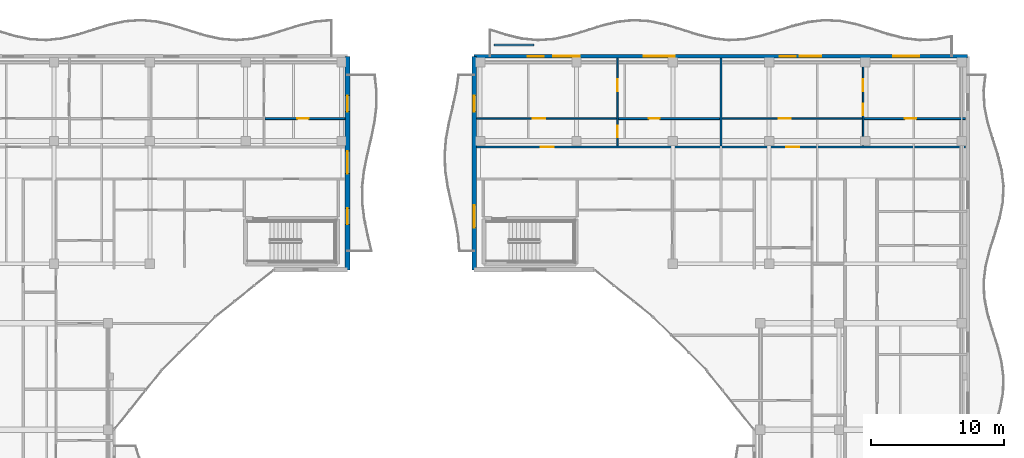
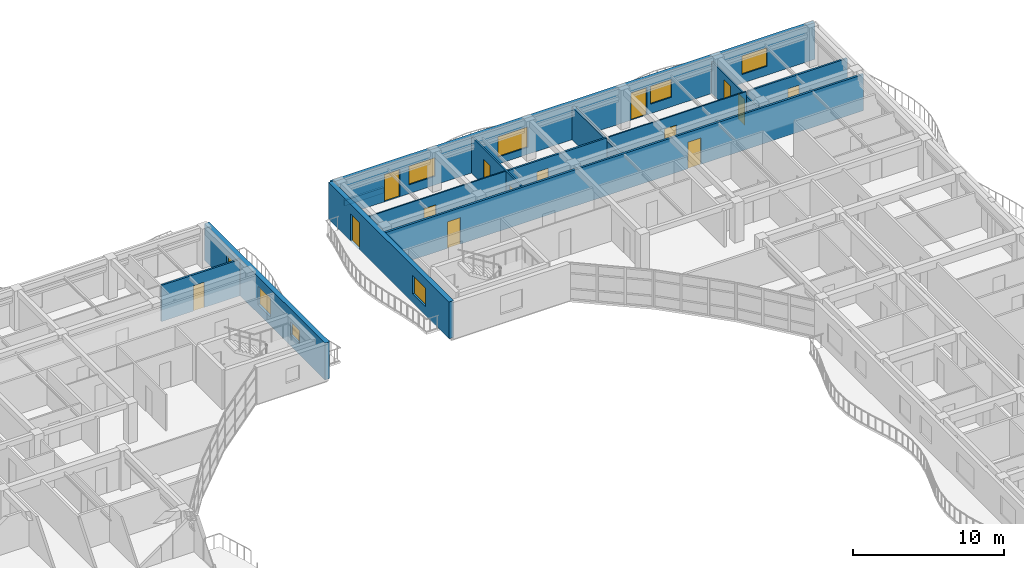
# One storey, part 100 of 128: 15 doors, 13 walls, 7 windows, 22 openings.
"""IFC4 building model written with IfcOpenShell, lengths in metres."""

import ifcopenshell
import ifcopenshell.guid

model = None  # the IFC model being written
_history = None  # IfcOwnerHistory: only IFC2X3 demands one
_inside = {}  # id of a spatial element -> (the spatial element, [elements in it])
_under = {}  # id of a project, library or spatial element -> (it, [spatial elements below it])
_declared = {}  # id of a project -> (the project, [libraries it declares])
_typed = {}  # id of a type object -> (the type object, [elements of that type])
_made_of = {}  # id of a material, layer set ... -> (it, [elements and type objects made of it])


def new_model(schema):
    """Start an empty IFC model of exactly this schema.

    Asked for "IFC4X3", IfcOpenShell would pick the latest addendum, in which some entities
    have other attributes; the version numbers below select the first issue.
    IFC2X3 requires an IfcOwnerHistory on every rooted entity: one is made here for all.
    """
    global model, _history
    if schema == "IFC4X3":
        model = ifcopenshell.file(schema_version=(4, 3, 0, 0))
    else:
        model = ifcopenshell.file(schema=schema)
    _inside.clear()
    _under.clear()
    _declared.clear()
    _typed.clear()
    _made_of.clear()
    _history = None
    if model.schema == "IFC2X3":
        org = make("IfcOrganization", Name="unknown")
        user = make(
            "IfcPersonAndOrganization",
            ThePerson=make("IfcPerson", FamilyName="unknown"),
            TheOrganization=org,
        )
        app = make(
            "IfcApplication",
            ApplicationDeveloper=org,
            Version="unknown",
            ApplicationFullName="unknown",
            ApplicationIdentifier="unknown",
        )
        _history = make(
            "IfcOwnerHistory",
            OwningUser=user,
            OwningApplication=app,
            ChangeAction="ADDED",
            CreationDate=0,
        )
    return model


def make(cls, **values):
    """One entity of the class cls with the attributes given. An attribute that is None is left unset."""
    return model.create_entity(
        cls, **{name: value for name, value in values.items() if value is not None}
    )


def rooted(cls, **values):
    """An entity with a GlobalId (a new one), such as an element, a storey or a relation."""
    return make(cls, GlobalId=ifcopenshell.guid.new(), OwnerHistory=_history, **values)


def si_unit(unit_type, name, prefix=None):
    """IfcSIUnit, for example si_unit("LENGTHUNIT", "METRE", prefix="MILLI")."""
    return make("IfcSIUnit", UnitType=unit_type, Prefix=prefix, Name=name)


def assignment(units):
    """IfcUnitAssignment: the units of a project."""
    return None if units is None else make("IfcUnitAssignment", Units=units)


def point(xyz):
    """IfcCartesianPoint."""
    return None if xyz is None else make("IfcCartesianPoint", Coordinates=xyz)


def direction(xyz):
    """IfcDirection."""
    return None if xyz is None else make("IfcDirection", DirectionRatios=xyz)


def frame(location, z_axis=None, x_axis=None):
    """IfcAxis2Placement3D, a coordinate frame: its origin and axes. An axis left out is left unset."""
    return make(
        "IfcAxis2Placement3D",
        Location=point(location),
        Axis=direction(z_axis),
        RefDirection=direction(x_axis),
    )


def frame_2d(location, x_axis=None):
    """IfcAxis2Placement2D, a coordinate frame in the plane: its origin and x axis."""
    return make(
        "IfcAxis2Placement2D", Location=point(location), RefDirection=direction(x_axis)
    )


def origin():
    """The frame at (0, 0, 0) with its axes left unset."""
    return frame((0.0, 0.0, 0.0))


def place(relative_to, where):
    """IfcLocalPlacement: puts the frame where relative to a parent placement (None: the world)."""
    return make(
        "IfcLocalPlacement", PlacementRelTo=relative_to, RelativePlacement=where
    )


def context(
    kind, dimensions, precision=None, world=None, true_north=None, identifier=None
):
    """IfcGeometricRepresentationContext, for example the 3D "Model" context."""
    return make(
        "IfcGeometricRepresentationContext",
        ContextIdentifier=identifier,
        ContextType=kind,
        CoordinateSpaceDimension=dimensions,
        Precision=precision,
        WorldCoordinateSystem=world,
        TrueNorth=true_north,
    )


def subcontext(parent, identifier, kind, view, scale=None):
    """IfcGeometricRepresentationSubContext, for example "Body" below "Model"."""
    return make(
        "IfcGeometricRepresentationSubContext",
        ContextIdentifier=identifier,
        ContextType=kind,
        ParentContext=parent,
        TargetScale=scale,
        TargetView=view,
    )


def project(units=None, contexts=None):
    """IfcProject with its units and contexts."""
    return rooted(
        "IfcProject",
        Name="project",
        RepresentationContexts=contexts,
        UnitsInContext=assignment(units),
    )


def spatial(cls, under=None, at=None, **own):
    """A site, building, storey or space (cls), placed at a placement, below another one or the project."""
    s = rooted(cls, ObjectPlacement=at, **own)
    if under is not None:
        _under.setdefault(under.id(), (under, []))[1].append(s)
    return s


def profile(cls, at=None, kind="AREA", **sizes):
    """A parametric profile (cls). Its sizes go by their IFC names, for example OverallWidth=200.0."""
    return make(cls, ProfileType=kind, Position=at, **sizes)


def rectangle(**sizes):
    """IfcRectangleProfileDef."""
    return profile("IfcRectangleProfileDef", **sizes)


def extrude(swept, where, along, depth):
    """IfcExtrudedAreaSolid: the profile swept, set in the frame where, extruded along a direction by depth."""
    return make(
        "IfcExtrudedAreaSolid",
        SweptArea=swept,
        Position=where,
        ExtrudedDirection=direction(along),
        Depth=depth,
    )


def shape(context_of_items, identifier, shape_type, items):
    """IfcShapeRepresentation: the items that make up one representation, for example the "Body"."""
    return make(
        "IfcShapeRepresentation",
        ContextOfItems=context_of_items,
        RepresentationIdentifier=identifier,
        RepresentationType=shape_type,
        Items=items,
    )


def material(Name=None, Category=None):
    """IfcMaterial."""
    return make("IfcMaterial", Name=Name, Category=Category)


def layer(
    of_material, thickness, ventilated=None, Name=None, Category=None, Priority=None
):
    """IfcMaterialLayer: one layer of a wall or slab, of a material (None: an air gap)."""
    return make(
        "IfcMaterialLayer",
        Material=of_material,
        LayerThickness=thickness,
        IsVentilated=ventilated,
        Name=Name,
        Category=Category,
        Priority=Priority,
    )


def layer_set(layers, Name=None):
    """IfcMaterialLayerSet."""
    return make("IfcMaterialLayerSet", MaterialLayers=layers, LayerSetName=Name)


def made_of(thing, what):
    """Note that an element or type object is made of a material, layer set ...; save() writes the relation."""
    if what is not None:
        _made_of.setdefault(what.id(), (what, []))[1].append(thing)
    return thing


def type_object(cls, material=None, **own):
    """A type object (cls), such as IfcWallType, which elements share."""
    return made_of(rooted(cls, **own), material)


def element(
    cls,
    number,
    at=None,
    inside=None,
    cuts=None,
    type_object=None,
    material=None,
    context=None,
    identifier="Body",
    shape_type=None,
    held_by="IfcProductDefinitionShape",
    body=None,
    shapes=None,
    **own,
):
    """One element of the class cls, such as IfcWall. Its Tag is "e" and its number.

    at: its placement. inside: the storey or other place that contains it. cuts: it is an
    opening in that element (IfcRelVoidsElement). A single representation is given by context,
    identifier, shape_type and body (its items); several are given by shapes. held_by: the class
    of the entity that holds the representations. save() writes the other relations.
    """
    e = rooted(cls, Tag="e%d" % number, ObjectPlacement=at, **own)
    if body is not None:
        shapes = [shape(context, identifier, shape_type, body)]
    if shapes is not None:
        e.Representation = make(held_by, Representations=shapes)
    if inside is not None:
        _inside.setdefault(inside.id(), (inside, []))[1].append(e)
    if cuts is not None:
        rooted(
            "IfcRelVoidsElement", RelatingBuildingElement=cuts, RelatedOpeningElement=e
        )
    if type_object is not None:
        _typed.setdefault(type_object.id(), (type_object, []))[1].append(e)
    return made_of(e, material)


def fill(opening, filler):
    """IfcRelFillsElement: the door or window that sits in an opening."""
    return rooted(
        "IfcRelFillsElement",
        RelatingOpeningElement=opening,
        RelatedBuildingElement=filler,
    )


def aggregate(whole, parts):
    """IfcRelAggregates: a whole, such as a stair, and the parts it consists of."""
    return rooted("IfcRelAggregates", RelatingObject=whole, RelatedObjects=parts)


def save(model, path):
    """Write the relations noted so far, then the file.

    IfcRelAggregates (storeys below a building ...), IfcRelContainedInSpatialStructure (elements
    in a storey), IfcRelDefinesByType, IfcRelAssociatesMaterial and IfcRelDeclares: one each for
    every whole, place, type object, material and project.
    """
    for whole, parts in _under.values():
        aggregate(whole, parts)
    for where, things in _inside.values():
        rooted(
            "IfcRelContainedInSpatialStructure",
            RelatedElements=things,
            RelatingStructure=where,
        )
    for kind, things in _typed.values():
        rooted("IfcRelDefinesByType", RelatedObjects=things, RelatingType=kind)
    for what, things in _made_of.values():
        rooted("IfcRelAssociatesMaterial", RelatedObjects=things, RelatingMaterial=what)
    for by, libraries in _declared.values():
        rooted("IfcRelDeclares", RelatingContext=by, RelatedDefinitions=libraries)
    model.write(path)


model = new_model("IFC4")

# Units and contexts
model_context = context("Model", 3, precision=1e-05, world=origin(), true_north=direction((0.0, 1.0)))
body_context = subcontext(model_context, "Body", "Model", "MODEL_VIEW")
ifc_project = project(units=[si_unit("LENGTHUNIT", "METRE"), si_unit("AREAUNIT", "SQUARE_METRE"), si_unit("VOLUMEUNIT", "CUBIC_METRE"), si_unit("PLANEANGLEUNIT", "RADIAN"), si_unit("MASSUNIT", "GRAM", prefix="KILO")], contexts=[model_context])

# Site, building, storey
site_placement = place(None, origin())
site = spatial("IfcSite", under=ifc_project, at=site_placement, CompositionType="ELEMENT")
building_placement = place(site_placement, origin())
building = spatial("IfcBuilding", under=site, at=building_placement, Name="Keldmere Railside Commons", CompositionType="ELEMENT")
storey_placement = place(building_placement, frame((0.0, 0.0, 4.159912109375)))
storey = spatial("IfcBuildingStorey", under=building, at=storey_placement, Name="L01", CompositionType="ELEMENT", Elevation=4.159912109375)

# Wall
ifc_material_1 = material(Name="Acoustic Gypsum Board Partition", Category="gypsum")
ifc_layer_1 = layer(ifc_material_1, 0.179931640625, Name="Acoustic Demising Partition 180")
ifc_layer_set_1 = layer_set([ifc_layer_1], Name="Acoustic Gypsum Board Partition")
wall_type_1 = type_object("IfcWallType", Name="Acoustic Demising Partition 180", PredefinedType="PARTITIONING", material=ifc_layer_set_1)
wall_1_placement = place(storey_placement, frame((165.5, 109.280029296875, 0.0), z_axis=(0.0, 0.0, 1.0), x_axis=(0.0, 1.0, 0.0)))
element("IfcWall", 1, at=wall_1_placement, inside=storey, type_object=wall_type_1, Name="IW-1 IW-L01-1447", PredefinedType="PARTITIONING", context=body_context, shape_type="SweptSolid", body=[
    extrude(rectangle(XDim=6.590087890625, YDim=0.179931640625, at=frame_2d((3.294921875, 0.0))), origin(), (0.0, 0.0, 1.0), 2.670166015625),
])

# Wall, openings, doors
ifc_layer_2 = layer(ifc_material_1, 0.1201171875, Name="Apartment Interior Partition 120")
ifc_layer_set_2 = layer_set([ifc_layer_2], Name="Acoustic Gypsum Board Partition")
wall_type_2 = type_object("IfcWallType", Name="Apartment Interior Partition 120", PredefinedType="PARTITIONING", material=ifc_layer_set_2)
wall_2_placement = place(storey_placement, frame((157.75, 109.280029296875, 0.0), z_axis=(0.0, 0.0, 1.0), x_axis=(0.0, 1.0, 0.0)))
wall_2 = element("IfcWall", 2, at=wall_2_placement, inside=storey, type_object=wall_type_2, Name="IW-4 IW-L01-1448", PredefinedType="PARTITIONING", context=body_context, shape_type="SweptSolid", body=[
    extrude(rectangle(XDim=6.590087890625, YDim=0.1201171875, at=frame_2d((3.294921875, 0.0))), origin(), (0.0, 0.0, 1.0), 2.93505859375),
])
opening_1_placement = place(wall_2_placement, frame((0.656005859375, 0.0, 0.0)))
opening_1 = element("IfcOpeningElement", 3, at=opening_1_placement, cuts=wall_2, Name="Opening ID-04", PredefinedType="OPENING", context=body_context, shape_type="SweptSolid", body=[
    extrude(rectangle(XDim=0.860107421875, YDim=2.10009765625, at=frame_2d((0.43017578125, 1.050048828125))), frame((0.0, 0.070068359375, 0.0), z_axis=(0.0, -1.0, 0.0), x_axis=(1.0, 0.0, 0.0)), (0.0, 0.0, 1.0), 0.14013671875),
])
opening_2_placement = place(wall_2_placement, frame((4.093017578125, 0.0, 0.0)))
opening_2 = element("IfcOpeningElement", 4, at=opening_2_placement, cuts=wall_2, Name="Opening ID-01", PredefinedType="OPENING", context=body_context, shape_type="SweptSolid", body=[
    extrude(rectangle(XDim=0.89990234375, YDim=2.10009765625, at=frame_2d((0.449951171875, 1.050048828125))), frame((0.0, 0.070068359375, 0.0), z_axis=(0.0, -1.0, 0.0), x_axis=(1.0, 0.0, 0.0)), (0.0, 0.0, 1.0), 0.14013671875),
])
ifc_material_2 = material(Name="Engineered Oak Timber", Category="wood")
door_type_1 = type_object("IfcDoorType", Name="Apartment Bathroom Door 860x2100", OperationType="NOTDEFINED", PredefinedType="DOOR", material=ifc_material_2)
door_1_placement = place(opening_1_placement, origin())
door_1 = element("IfcDoor", 5, at=door_1_placement, inside=storey, type_object=door_type_1, Name="ID-04 IDR-L01-1296", OperationType="SINGLE_SWING_RIGHT", OverallHeight=2.10009765625, OverallWidth=0.860107421875, PredefinedType="DOOR", context=body_context, shape_type="SweptSolid", body=[
    extrude(rectangle(XDim=0.860107421875, YDim=2.10009765625, at=frame_2d((0.43017578125, 1.050048828125))), frame((0.0, 0.02490234375, 0.0), z_axis=(0.0, -1.0, 0.0), x_axis=(1.0, 0.0, 0.0)), (0.0, 0.0, 1.0), 0.050048828125),
])
fill(opening_1, door_1)
door_type_2 = type_object("IfcDoorType", Name="Primary Bedroom Door 900x2100", OperationType="NOTDEFINED", PredefinedType="DOOR", material=ifc_material_2)
door_2_placement = place(opening_2_placement, origin())
door_2 = element("IfcDoor", 6, at=door_2_placement, inside=storey, type_object=door_type_2, Name="ID-01 IDR-L01-1297", OperationType="SINGLE_SWING_LEFT", OverallHeight=2.10009765625, OverallWidth=0.89990234375, PredefinedType="DOOR", context=body_context, shape_type="SweptSolid", body=[
    extrude(rectangle(XDim=0.89990234375, YDim=2.10009765625, at=frame_2d((0.449951171875, 1.050048828125))), frame((0.0, 0.02490234375, 0.0), z_axis=(0.0, -1.0, 0.0), x_axis=(1.0, 0.0, 0.0)), (0.0, 0.0, 1.0), 0.050048828125),
])
fill(opening_2, door_2)

wall_3_placement = place(storey_placement, frame((176.159912109375, 109.280029296875, 0.0), z_axis=(0.0, 0.0, 1.0), x_axis=(0.0, 1.0, 0.0)))
wall_3 = element("IfcWall", 7, at=wall_3_placement, inside=storey, type_object=wall_type_2, Name="IW-4 IW-L01-1451", PredefinedType="PARTITIONING", context=body_context, shape_type="SweptSolid", body=[
    extrude(rectangle(XDim=6.590087890625, YDim=0.1201171875, at=frame_2d((3.294921875, 0.0))), origin(), (0.0, 0.0, 1.0), 2.580078125),
])
opening_3_placement = place(wall_3_placement, frame((2.305908203125, 0.0, 0.0)))
opening_3 = element("IfcOpeningElement", 8, at=opening_3_placement, cuts=wall_3, Name="Opening ID-04", PredefinedType="OPENING", context=body_context, shape_type="SweptSolid", body=[
    extrude(rectangle(XDim=0.860107421875, YDim=2.10009765625, at=frame_2d((0.43017578125, 1.050048828125))), frame((0.0, 0.070068359375, 0.0), z_axis=(0.0, -1.0, 0.0), x_axis=(1.0, 0.0, 0.0)), (0.0, 0.0, 1.0), 0.14013671875),
])
opening_4_placement = place(wall_3_placement, frame((4.093017578125, 0.0, 0.0)))
opening_4 = element("IfcOpeningElement", 9, at=opening_4_placement, cuts=wall_3, Name="Opening ID-01", PredefinedType="OPENING", context=body_context, shape_type="SweptSolid", body=[
    extrude(rectangle(XDim=0.89990234375, YDim=2.10009765625, at=frame_2d((0.449951171875, 1.050048828125))), frame((0.0, 0.070068359375, 0.0), z_axis=(0.0, -1.0, 0.0), x_axis=(1.0, 0.0, 0.0)), (0.0, 0.0, 1.0), 0.14013671875),
])
door_3_placement = place(opening_3_placement, origin())
door_3 = element("IfcDoor", 10, at=door_3_placement, inside=storey, type_object=door_type_1, Name="ID-04 IDR-L01-1301", OperationType="SINGLE_SWING_LEFT", OverallHeight=2.10009765625, OverallWidth=0.860107421875, PredefinedType="DOOR", context=body_context, shape_type="SweptSolid", body=[
    extrude(rectangle(XDim=0.860107421875, YDim=2.10009765625, at=frame_2d((0.43017578125, 1.050048828125))), frame((0.0, 0.02490234375, 0.0), z_axis=(0.0, -1.0, 0.0), x_axis=(1.0, 0.0, 0.0)), (0.0, 0.0, 1.0), 0.050048828125),
])
fill(opening_3, door_3)
door_4_placement = place(opening_4_placement, origin())
door_4 = element("IfcDoor", 11, at=door_4_placement, inside=storey, type_object=door_type_2, Name="ID-01 IDR-L01-1302", OperationType="SINGLE_SWING_RIGHT", OverallHeight=2.10009765625, OverallWidth=0.89990234375, PredefinedType="DOOR", context=body_context, shape_type="SweptSolid", body=[
    extrude(rectangle(XDim=0.89990234375, YDim=2.10009765625, at=frame_2d((0.449951171875, 1.050048828125))), frame((0.0, 0.02490234375, 0.0), z_axis=(0.0, -1.0, 0.0), x_axis=(1.0, 0.0, 0.0)), (0.0, 0.0, 1.0), 0.050048828125),
])
fill(opening_4, door_4)

# Wall
ifc_material_3 = material(Name="White Precast Concrete H-35 (C35/45)", Category="concrete")
ifc_layer_3 = layer(ifc_material_3, 0.169921875, Name="Balcony Planter Kerb Wall 170")
ifc_layer_set_3 = layer_set([ifc_layer_3], Name="White Precast Concrete H-35 (C35/45)")
wall_type_3 = type_object("IfcWallType", Name="Balcony Planter Kerb Wall 170", PredefinedType="PARAPET", material=ifc_layer_set_3)
wall_4_placement = place(storey_placement, frame((148.5, 116.85009765625, 0.0), z_axis=(0.0, 0.0, 1.0), x_axis=(1.0, 0.0, 0.0)))
element("IfcWall", 12, at=wall_4_placement, inside=storey, type_object=wall_type_3, Name="PW-2 PKBA-L01-0888", PredefinedType="PARAPET", context=body_context, shape_type="SweptSolid", body=[
    extrude(rectangle(XDim=3.0, YDim=0.169921875, at=frame_2d((1.5, 0.0))), origin(), (0.0, 0.0, 1.0), 0.4501953125),
])

# Wall, opening, door
ifc_layer_4 = layer(ifc_material_1, 0.10009765625, Name="Closet Light Partition 100")
ifc_layer_set_4 = layer_set([ifc_layer_4], Name="Acoustic Gypsum Board Partition")
wall_type_4 = type_object("IfcWallType", Name="Closet Light Partition 100", PredefinedType="PARTITIONING", material=ifc_layer_set_4)
wall_5_placement = place(storey_placement, frame((147.179931640625, 111.330078125, 0.0), z_axis=(0.0, 0.0, 1.0), x_axis=(1.0, 0.0, 0.0)))
wall_5 = element("IfcWall", 13, at=wall_5_placement, inside=storey, type_object=wall_type_4, Name="IW-6 IW-L01-1450", PredefinedType="PARTITIONING", context=body_context, shape_type="SweptSolid", body=[
    extrude(rectangle(XDim=10.510009765625, YDim=0.10009765625, at=frame_2d((5.2548828125, 0.0))), origin(), (0.0, 0.0, 1.0), 2.93505859375),
])
opening_5_placement = place(wall_5_placement, frame((4.22802734375, 0.0, 0.0)))
opening_5 = element("IfcOpeningElement", 14, at=opening_5_placement, cuts=wall_5, Name="Opening ID-03", PredefinedType="OPENING", context=body_context, shape_type="SweptSolid", body=[
    extrude(rectangle(XDim=0.919921875, YDim=2.10009765625, at=frame_2d((0.4599609375, 1.050048828125))), frame((0.0, 0.06005859375, 0.0), z_axis=(0.0, -1.0, 0.0), x_axis=(1.0, 0.0, 0.0)), (0.0, 0.0, 1.0), 0.1201171875),
])
door_type_3 = type_object("IfcDoorType", Name="Kitchen Pocket-Frame Swing Door 920x2100", OperationType="NOTDEFINED", PredefinedType="DOOR", material=ifc_material_2)
door_5_placement = place(opening_5_placement, origin())
door_5 = element("IfcDoor", 15, at=door_5_placement, inside=storey, type_object=door_type_3, Name="ID-03 IDR-L01-1295", OperationType="SINGLE_SWING_LEFT", OverallHeight=2.10009765625, OverallWidth=0.919921875, PredefinedType="DOOR", context=body_context, shape_type="SweptSolid", body=[
    extrude(rectangle(XDim=0.919921875, YDim=2.10009765625, at=frame_2d((0.4599609375, 1.050048828125))), frame((0.0, 0.02490234375, 0.0), z_axis=(0.0, -1.0, 0.0), x_axis=(1.0, 0.0, 0.0)), (0.0, 0.0, 1.0), 0.050048828125),
])
fill(opening_5, door_5)

wall_6_placement = place(storey_placement, frame((165.590087890625, 111.330078125, 0.0), z_axis=(0.0, 0.0, 1.0), x_axis=(1.0, 0.0, 0.0)))
wall_6 = element("IfcWall", 16, at=wall_6_placement, inside=storey, type_object=wall_type_4, Name="IW-6 IW-L01-1453", PredefinedType="PARTITIONING", context=body_context, shape_type="SweptSolid", body=[
    extrude(rectangle(XDim=10.510009765625, YDim=0.10009765625, at=frame_2d((5.2548828125, 0.0))), origin(), (0.0, 0.0, 1.0), 2.93505859375),
])
opening_6_placement = place(wall_6_placement, frame((4.22802734375, 0.0, 0.0)))
opening_6 = element("IfcOpeningElement", 17, at=opening_6_placement, cuts=wall_6, Name="Opening ID-03", PredefinedType="OPENING", context=body_context, shape_type="SweptSolid", body=[
    extrude(rectangle(XDim=0.919921875, YDim=2.10009765625, at=frame_2d((0.4599609375, 1.050048828125))), frame((0.0, 0.06005859375, 0.0), z_axis=(0.0, -1.0, 0.0), x_axis=(1.0, 0.0, 0.0)), (0.0, 0.0, 1.0), 0.1201171875),
])
door_6_placement = place(opening_6_placement, origin())
door_6 = element("IfcDoor", 18, at=door_6_placement, inside=storey, type_object=door_type_3, Name="ID-03 IDR-L01-1300", OperationType="SINGLE_SWING_RIGHT", OverallHeight=2.10009765625, OverallWidth=0.919921875, PredefinedType="DOOR", context=body_context, shape_type="SweptSolid", body=[
    extrude(rectangle(XDim=0.919921875, YDim=2.10009765625, at=frame_2d((0.4599609375, 1.050048828125))), frame((0.0, 0.02490234375, 0.0), z_axis=(0.0, -1.0, 0.0), x_axis=(1.0, 0.0, 0.0)), (0.0, 0.0, 1.0), 0.050048828125),
])
fill(opening_6, door_6)

# Wall, openings, doors
ifc_layer_5 = layer(ifc_material_1, 0.159912109375, Name="Corridor Fire Partition 160")
ifc_layer_set_5 = layer_set([ifc_layer_5], Name="Acoustic Gypsum Board Partition")
wall_type_5 = type_object("IfcWallType", Name="Corridor Fire Partition 160", PredefinedType="PARTITIONING", material=ifc_layer_set_5)
wall_7_placement = place(storey_placement, frame((147.179931640625, 109.199951171875, 0.0), z_axis=(0.0, 0.0, 1.0), x_axis=(1.0, 0.0, 0.0)))
wall_7 = element("IfcWall", 19, at=wall_7_placement, inside=storey, type_object=wall_type_5, Name="IW-2 IW-L01-1426", PredefinedType="PARTITIONING", context=body_context, shape_type="SweptSolid", body=[
    extrude(rectangle(XDim=36.64013671875, YDim=0.159912109375, at=frame_2d((18.320068359375, 0.0))), origin(), (0.0, 0.0, 1.0), 2.93505859375),
])
opening_7_placement = place(wall_7_placement, frame((4.794921875, 0.0, 0.0)))
opening_7 = element("IfcOpeningElement", 20, at=opening_7_placement, cuts=wall_7, Name="Opening FD-7", PredefinedType="OPENING", context=body_context, shape_type="SweptSolid", body=[
    extrude(rectangle(XDim=0.97998046875, YDim=2.14990234375, at=frame_2d((0.489990234375, 1.074951171875))), frame((0.0, 0.08984375, 0.0), z_axis=(0.0, -1.0, 0.0), x_axis=(1.0, 0.0, 0.0)), (0.0, 0.0, 1.0), 0.179931640625),
])
opening_8_placement = place(wall_7_placement, frame((23.205078125, 0.0, 0.0)))
opening_8 = element("IfcOpeningElement", 21, at=opening_8_placement, cuts=wall_7, Name="Opening FD-7", PredefinedType="OPENING", context=body_context, shape_type="SweptSolid", body=[
    extrude(rectangle(XDim=0.97998046875, YDim=2.14990234375, at=frame_2d((0.489990234375, 1.074951171875))), frame((0.0, 0.08984375, 0.0), z_axis=(0.0, -1.0, 0.0), x_axis=(1.0, 0.0, 0.0)), (0.0, 0.0, 1.0), 0.179931640625),
])
door_type_4 = type_object("IfcDoorType", Name="Apartment Entrance Acoustic Fire Door 980x2150", OperationType="NOTDEFINED", PredefinedType="DOOR", material=ifc_material_2)
door_7_placement = place(opening_7_placement, origin())
door_7 = element("IfcDoor", 22, at=door_7_placement, inside=storey, type_object=door_type_4, Name="FD-7 IDR-L01-1294", OperationType="SINGLE_SWING_RIGHT", OverallHeight=2.14990234375, OverallWidth=0.97998046875, PredefinedType="DOOR", context=body_context, shape_type="SweptSolid", body=[
    extrude(rectangle(XDim=0.97998046875, YDim=2.14990234375, at=frame_2d((0.489990234375, 1.074951171875))), frame((0.0, 0.02490234375, 0.0), z_axis=(0.0, -1.0, 0.0), x_axis=(1.0, 0.0, 0.0)), (0.0, 0.0, 1.0), 0.050048828125),
])
fill(opening_7, door_7)
door_8_placement = place(opening_8_placement, origin())
door_8 = element("IfcDoor", 23, at=door_8_placement, inside=storey, type_object=door_type_4, Name="FD-7 IDR-L01-1299", OperationType="SINGLE_SWING_LEFT", OverallHeight=2.14990234375, OverallWidth=0.97998046875, PredefinedType="DOOR", context=body_context, shape_type="SweptSolid", body=[
    extrude(rectangle(XDim=0.97998046875, YDim=2.14990234375, at=frame_2d((0.489990234375, 1.074951171875))), frame((0.0, 0.02490234375, 0.0), z_axis=(0.0, -1.0, 0.0), x_axis=(1.0, 0.0, 0.0)), (0.0, 0.0, 1.0), 0.050048828125),
])
fill(opening_8, door_8)

# Wall, openings, windows, door
ifc_material_4 = material(Name="Concrete H-35 (C35/45)", Category="concrete")
ifc_layer_6 = layer(ifc_material_4, 0.360107421875, Name="Exterior Shear Wall 360")
ifc_layer_set_6 = layer_set([ifc_layer_6], Name="Concrete H-35 (C35/45)")
wall_type_6 = type_object("IfcWallType", Name="Exterior Shear Wall 360", PredefinedType="SHEAR", material=ifc_layer_set_6)
wall_8_placement = place(storey_placement, frame((137.5, 116.0, 0.0), z_axis=(0.0, 0.0, 1.0), x_axis=(0.0, -1.0, 0.0)))
wall_8 = element("IfcWall", 24, at=wall_8_placement, inside=storey, type_object=wall_type_6, Name="ESW-1 EXTB-L01-0587", PredefinedType="SHEAR", context=body_context, shape_type="SweptSolid", body=[
    extrude(rectangle(XDim=16.0, YDim=0.360107421875, at=frame_2d((8.0, 0.0))), origin(), (0.0, 0.0, 1.0), 2.97998046875),
])
opening_9_placement = place(wall_8_placement, frame((2.949951171875, 0.0, 0.0)))
opening_9 = element("IfcOpeningElement", 25, at=opening_9_placement, cuts=wall_8, Name="Opening BD-01", PredefinedType="OPENING", context=body_context, shape_type="SweptSolid", body=[
    extrude(rectangle(XDim=1.199951171875, YDim=2.199951171875, at=frame_2d((0.60009765625, 1.10009765625))), frame((0.0, 0.18994140625, 0.0), z_axis=(0.0, -1.0, 0.0), x_axis=(1.0, 0.0, 0.0)), (0.0, 0.0, 1.0), 0.380126953125),
])
opening_10_placement = place(wall_8_placement, frame((7.10009765625, 0.0, 0.719970703125)))
opening_10 = element("IfcOpeningElement", 26, at=opening_10_placement, cuts=wall_8, Name="Opening WN-20", PredefinedType="OPENING", context=body_context, shape_type="SweptSolid", body=[
    extrude(rectangle(XDim=1.699951171875, YDim=1.5, at=frame_2d((0.85009765625, 0.75))), frame((0.0, 0.18994140625, 0.0), z_axis=(0.0, -1.0, 0.0), x_axis=(1.0, 0.0, 0.0)), (0.0, 0.0, 1.0), 0.380126953125),
])
opening_11_placement = place(wall_8_placement, frame((11.39990234375, 0.0, 0.89990234375)))
opening_11 = element("IfcOpeningElement", 27, at=opening_11_placement, cuts=wall_8, Name="Opening WN-14", PredefinedType="OPENING", context=body_context, shape_type="SweptSolid", body=[
    extrude(rectangle(XDim=1.199951171875, YDim=1.050048828125, at=frame_2d((0.60009765625, 0.52490234375))), frame((0.0, 0.18994140625, 0.0), z_axis=(0.0, -1.0, 0.0), x_axis=(1.0, 0.0, 0.0)), (0.0, 0.0, 1.0), 0.380126953125),
])
ifc_material_5 = material(Name="Low-E Insulated Double Glazing", Category="glass")
window_type_1 = type_object("IfcWindowType", Name="Apartment Kitchen Ribbon Window 1200x1050", PartitioningType="SINGLE_PANEL", PredefinedType="WINDOW", material=ifc_material_5)
window_1_placement = place(opening_11_placement, origin())
window_1 = element("IfcWindow", 28, at=window_1_placement, inside=storey, type_object=window_type_1, Name="WN-14 WIN-L01-0371", OverallHeight=1.050048828125, OverallWidth=1.199951171875, PartitioningType="SINGLE_PANEL", PredefinedType="WINDOW", context=body_context, shape_type="SweptSolid", body=[
    extrude(rectangle(XDim=1.199951171875, YDim=1.050048828125, at=frame_2d((0.60009765625, 0.52490234375))), frame((0.0, 0.030029296875, 0.0), z_axis=(0.0, -1.0, 0.0), x_axis=(1.0, 0.0, 0.0)), (0.0, 0.0, 1.0), 0.06005859375),
])
fill(opening_11, window_1)
ifc_material_6 = material(Name="Thermally Broken Aluminium", Category="aluminium")
door_type_5 = type_object("IfcDoorType", Name="Apartment Living Wave-Balcony Glazed Door 1200x2200", OperationType="NOTDEFINED", PredefinedType="DOOR", material=ifc_material_6)
door_9_placement = place(opening_9_placement, origin())
door_9 = element("IfcDoor", 29, at=door_9_placement, inside=storey, type_object=door_type_5, Name="BD-01 DR-L01-0130", OperationType="SINGLE_SWING_RIGHT", OverallHeight=2.199951171875, OverallWidth=1.199951171875, PredefinedType="DOOR", context=body_context, shape_type="SweptSolid", body=[
    extrude(rectangle(XDim=1.199951171875, YDim=2.199951171875, at=frame_2d((0.60009765625, 1.10009765625))), frame((0.0, 0.02490234375, 0.0), z_axis=(0.0, -1.0, 0.0), x_axis=(1.0, 0.0, 0.0)), (0.0, 0.0, 1.0), 0.050048828125),
])
fill(opening_9, door_9)
window_type_2 = type_object("IfcWindowType", Name="Study Room Quiet Casement Window 1700x1500", PartitioningType="SINGLE_PANEL", PredefinedType="WINDOW", material=ifc_material_5)
window_2_placement = place(opening_10_placement, origin())
window_2 = element("IfcWindow", 30, at=window_2_placement, inside=storey, type_object=window_type_2, Name="WN-20 WIN-L01-0370", OverallHeight=1.5, OverallWidth=1.699951171875, PartitioningType="SINGLE_PANEL", PredefinedType="WINDOW", context=body_context, shape_type="SweptSolid", body=[
    extrude(rectangle(XDim=1.699951171875, YDim=1.5, at=frame_2d((0.85009765625, 0.75))), frame((0.0, 0.030029296875, 0.0), z_axis=(0.0, -1.0, 0.0), x_axis=(1.0, 0.0, 0.0)), (0.0, 0.0, 1.0), 0.06005859375),
])
fill(opening_10, window_2)

# Wall, openings, door, window
wall_9_placement = place(storey_placement, frame((147.0, 100.0, 0.0), z_axis=(0.0, 0.0, 1.0), x_axis=(0.0, 1.0, 0.0)))
wall_9 = element("IfcWall", 31, at=wall_9_placement, inside=storey, type_object=wall_type_6, Name="ESW-1 EXTA-L01-0885", PredefinedType="SHEAR", context=body_context, shape_type="SweptSolid", body=[
    extrude(rectangle(XDim=16.0, YDim=0.360107421875, at=frame_2d((8.0, 0.0))), origin(), (0.0, 0.0, 1.0), 2.97998046875),
])
opening_12_placement = place(wall_9_placement, frame((3.14990234375, 0.0, 0.719970703125)))
opening_12 = element("IfcOpeningElement", 32, at=opening_12_placement, cuts=wall_9, Name="Opening WN-20", PredefinedType="OPENING", context=body_context, shape_type="SweptSolid", body=[
    extrude(rectangle(XDim=1.699951171875, YDim=1.5, at=frame_2d((0.85009765625, 0.75))), frame((0.0, 0.18994140625, 0.0), z_axis=(0.0, -1.0, 0.0), x_axis=(1.0, 0.0, 0.0)), (0.0, 0.0, 1.0), 0.380126953125),
])
opening_13_placement = place(wall_9_placement, frame((11.85009765625, 0.0, 0.0)))
opening_13 = element("IfcOpeningElement", 33, at=opening_13_placement, cuts=wall_9, Name="Opening BD-01", PredefinedType="OPENING", context=body_context, shape_type="SweptSolid", body=[
    extrude(rectangle(XDim=1.199951171875, YDim=2.199951171875, at=frame_2d((0.60009765625, 1.10009765625))), frame((0.0, 0.18994140625, 0.0), z_axis=(0.0, -1.0, 0.0), x_axis=(1.0, 0.0, 0.0)), (0.0, 0.0, 1.0), 0.380126953125),
])
door_10_placement = place(opening_13_placement, origin())
door_10 = element("IfcDoor", 34, at=door_10_placement, inside=storey, type_object=door_type_5, Name="BD-01 DR-L01-0224", OperationType="SINGLE_SWING_RIGHT", OverallHeight=2.199951171875, OverallWidth=1.199951171875, PredefinedType="DOOR", context=body_context, shape_type="SweptSolid", body=[
    extrude(rectangle(XDim=1.199951171875, YDim=2.199951171875, at=frame_2d((0.60009765625, 1.10009765625))), frame((0.0, 0.02490234375, 0.0), z_axis=(0.0, -1.0, 0.0), x_axis=(1.0, 0.0, 0.0)), (0.0, 0.0, 1.0), 0.050048828125),
])
fill(opening_13, door_10)
window_3_placement = place(opening_12_placement, origin())
window_3 = element("IfcWindow", 35, at=window_3_placement, inside=storey, type_object=window_type_2, Name="WN-20 WIN-L01-0597", OverallHeight=1.5, OverallWidth=1.699951171875, PartitioningType="SINGLE_PANEL", PredefinedType="WINDOW", context=body_context, shape_type="SweptSolid", body=[
    extrude(rectangle(XDim=1.699951171875, YDim=1.5, at=frame_2d((0.85009765625, 0.75))), frame((0.0, 0.030029296875, 0.0), z_axis=(0.0, -1.0, 0.0), x_axis=(1.0, 0.0, 0.0)), (0.0, 0.0, 1.0), 0.06005859375),
])
fill(opening_12, window_3)

# Wall, openings, windows, doors
ifc_material_7 = material(Name="Terracotta Brick Masonry", Category="masonry")
ifc_layer_7 = layer(ifc_material_7, 0.260009765625, Name="Terracotta Cavity Wall 260")
ifc_layer_set_7 = layer_set([ifc_layer_7], Name="Terracotta Brick Masonry")
wall_type_7 = type_object("IfcWallType", Name="Terracotta Cavity Wall 260", PredefinedType="SOLIDWALL", material=ifc_layer_set_7)
wall_10_placement = place(storey_placement, frame((147.0, 116.0, 0.0), z_axis=(0.0, 0.0, 1.0), x_axis=(1.0, 0.0, 0.0)))
wall_10 = element("IfcWall", 36, at=wall_10_placement, inside=storey, type_object=wall_type_7, Name="EW-1 EXTA-L01-0884", PredefinedType="SOLIDWALL", context=body_context, shape_type="SweptSolid", body=[
    extrude(rectangle(XDim=37.0, YDim=0.260009765625, at=frame_2d((18.5, 0.0))), origin(), (0.0, 0.0, 1.0), 2.97998046875),
])
opening_14_placement = place(wall_10_placement, frame((4.02490234375, 0.0, 0.0)))
opening_14 = element("IfcOpeningElement", 37, at=opening_14_placement, cuts=wall_10, Name="Opening BD-01", PredefinedType="OPENING", context=body_context, shape_type="SweptSolid", body=[
    extrude(rectangle(XDim=1.199951171875, YDim=2.199951171875, at=frame_2d((0.60009765625, 1.10009765625))), frame((0.0, 0.139892578125, 0.0), z_axis=(0.0, -1.0, 0.0), x_axis=(1.0, 0.0, 0.0)), (0.0, 0.0, 1.0), 0.280029296875),
])
opening_15_placement = place(wall_10_placement, frame((5.925048828125, 0.0, 0.719970703125)))
opening_15 = element("IfcOpeningElement", 38, at=opening_15_placement, cuts=wall_10, Name="Opening WN-02", PredefinedType="OPENING", context=body_context, shape_type="SweptSolid", body=[
    extrude(rectangle(XDim=2.0, YDim=1.5, at=frame_2d((1.0, 0.75))), frame((0.0, 0.139892578125, 0.0), z_axis=(0.0, -1.0, 0.0), x_axis=(1.0, 0.0, 0.0)), (0.0, 0.0, 1.0), 0.280029296875),
])
opening_16_placement = place(wall_10_placement, frame((12.72509765625, 0.0, 0.570068359375)))
opening_16 = element("IfcOpeningElement", 39, at=opening_16_placement, cuts=wall_10, Name="Opening WN-23", PredefinedType="OPENING", context=body_context, shape_type="SweptSolid", body=[
    extrude(rectangle(XDim=2.300048828125, YDim=1.64990234375, at=frame_2d((1.14990234375, 0.824951171875))), frame((0.0, 0.139892578125, 0.0), z_axis=(0.0, -1.0, 0.0), x_axis=(1.0, 0.0, 0.0)), (0.0, 0.0, 1.0), 0.280029296875),
])
opening_17_placement = place(wall_10_placement, frame((22.925048828125, 0.0, 0.0)))
opening_17 = element("IfcOpeningElement", 40, at=opening_17_placement, cuts=wall_10, Name="Opening BD-01", PredefinedType="OPENING", context=body_context, shape_type="SweptSolid", body=[
    extrude(rectangle(XDim=1.199951171875, YDim=2.199951171875, at=frame_2d((0.60009765625, 1.10009765625))), frame((0.0, 0.139892578125, 0.0), z_axis=(0.0, -1.0, 0.0), x_axis=(1.0, 0.0, 0.0)), (0.0, 0.0, 1.0), 0.280029296875),
])
opening_18_placement = place(wall_10_placement, frame((24.425048828125, 0.0, 0.77001953125)))
opening_18 = element("IfcOpeningElement", 41, at=opening_18_placement, cuts=wall_10, Name="Opening WN-04", PredefinedType="OPENING", context=body_context, shape_type="SweptSolid", body=[
    extrude(rectangle(XDim=1.60009765625, YDim=1.449951171875, at=frame_2d((0.800048828125, 0.72509765625))), frame((0.0, 0.139892578125, 0.0), z_axis=(0.0, -1.0, 0.0), x_axis=(1.0, 0.0, 0.0)), (0.0, 0.0, 1.0), 0.280029296875),
])
opening_19_placement = place(wall_10_placement, frame((31.39990234375, 0.0, 0.719970703125)))
opening_19 = element("IfcOpeningElement", 42, at=opening_19_placement, cuts=wall_10, Name="Opening WN-38", PredefinedType="OPENING", context=body_context, shape_type="SweptSolid", body=[
    extrude(rectangle(XDim=1.949951171875, YDim=1.5, at=frame_2d((0.97509765625, 0.75))), frame((0.0, 0.139892578125, 0.0), z_axis=(0.0, -1.0, 0.0), x_axis=(1.0, 0.0, 0.0)), (0.0, 0.0, 1.0), 0.280029296875),
])
window_type_3 = type_object("IfcWindowType", Name="Adaptable Apartment Wide Window 1950x1500", PartitioningType="SINGLE_PANEL", PredefinedType="WINDOW", material=ifc_material_5)
window_4_placement = place(opening_19_placement, origin())
window_4 = element("IfcWindow", 43, at=window_4_placement, inside=storey, type_object=window_type_3, Name="WN-38 WIN-L01-0596", OverallHeight=1.5, OverallWidth=1.949951171875, PartitioningType="SINGLE_PANEL", PredefinedType="WINDOW", context=body_context, shape_type="SweptSolid", body=[
    extrude(rectangle(XDim=1.949951171875, YDim=1.5, at=frame_2d((0.97509765625, 0.75))), frame((0.0, 0.030029296875, 0.0), z_axis=(0.0, -1.0, 0.0), x_axis=(1.0, 0.0, 0.0)), (0.0, 0.0, 1.0), 0.06005859375),
])
fill(opening_19, window_4)
door_11_placement = place(opening_14_placement, origin())
door_11 = element("IfcDoor", 44, at=door_11_placement, inside=storey, type_object=door_type_5, Name="BD-01 DR-L01-0222", OperationType="SINGLE_SWING_RIGHT", OverallHeight=2.199951171875, OverallWidth=1.199951171875, PredefinedType="DOOR", context=body_context, shape_type="SweptSolid", body=[
    extrude(rectangle(XDim=1.199951171875, YDim=2.199951171875, at=frame_2d((0.60009765625, 1.10009765625))), frame((0.0, 0.02490234375, 0.0), z_axis=(0.0, -1.0, 0.0), x_axis=(1.0, 0.0, 0.0)), (0.0, 0.0, 1.0), 0.050048828125),
])
fill(opening_14, door_11)
door_12_placement = place(opening_17_placement, origin())
door_12 = element("IfcDoor", 45, at=door_12_placement, inside=storey, type_object=door_type_5, Name="BD-01 DR-L01-0223", OperationType="SINGLE_SWING_LEFT", OverallHeight=2.199951171875, OverallWidth=1.199951171875, PredefinedType="DOOR", context=body_context, shape_type="SweptSolid", body=[
    extrude(rectangle(XDim=1.199951171875, YDim=2.199951171875, at=frame_2d((0.60009765625, 1.10009765625))), frame((0.0, 0.02490234375, 0.0), z_axis=(0.0, -1.0, 0.0), x_axis=(1.0, 0.0, 0.0)), (0.0, 0.0, 1.0), 0.050048828125),
])
fill(opening_17, door_12)
window_type_4 = type_object("IfcWindowType", Name="Living Room South Casement Window 2000x1500", PartitioningType="SINGLE_PANEL", PredefinedType="WINDOW", material=ifc_material_5)
window_5_placement = place(opening_15_placement, origin())
window_5 = element("IfcWindow", 46, at=window_5_placement, inside=storey, type_object=window_type_4, Name="WN-02 WIN-L01-0593", OverallHeight=1.5, OverallWidth=2.0, PartitioningType="SINGLE_PANEL", PredefinedType="WINDOW", context=body_context, shape_type="SweptSolid", body=[
    extrude(rectangle(XDim=2.0, YDim=1.5, at=frame_2d((1.0, 0.75))), frame((0.0, 0.030029296875, 0.0), z_axis=(0.0, -1.0, 0.0), x_axis=(1.0, 0.0, 0.0)), (0.0, 0.0, 1.0), 0.06005859375),
])
fill(opening_15, window_5)
window_type_5 = type_object("IfcWindowType", Name="Living Room West Shaded Window 1600x1450", PartitioningType="SINGLE_PANEL", PredefinedType="WINDOW", material=ifc_material_5)
window_6_placement = place(opening_18_placement, origin())
window_6 = element("IfcWindow", 47, at=window_6_placement, inside=storey, type_object=window_type_5, Name="WN-04 WIN-L01-0595", OverallHeight=1.449951171875, OverallWidth=1.60009765625, PartitioningType="SINGLE_PANEL", PredefinedType="WINDOW", context=body_context, shape_type="SweptSolid", body=[
    extrude(rectangle(XDim=1.60009765625, YDim=1.449951171875, at=frame_2d((0.800048828125, 0.72509765625))), frame((0.0, 0.030029296875, 0.0), z_axis=(0.0, -1.0, 0.0), x_axis=(1.0, 0.0, 0.0)), (0.0, 0.0, 1.0), 0.06005859375),
])
fill(opening_18, window_6)
window_type_6 = type_object("IfcWindowType", Name="Setback Terrace Penthouse Window 2300x1650", PartitioningType="SINGLE_PANEL", PredefinedType="WINDOW", material=ifc_material_5)
window_7_placement = place(opening_16_placement, origin())
window_7 = element("IfcWindow", 48, at=window_7_placement, inside=storey, type_object=window_type_6, Name="WN-23 WIN-L01-0594", OverallHeight=1.64990234375, OverallWidth=2.300048828125, PartitioningType="SINGLE_PANEL", PredefinedType="WINDOW", context=body_context, shape_type="SweptSolid", body=[
    extrude(rectangle(XDim=2.300048828125, YDim=1.64990234375, at=frame_2d((1.14990234375, 0.824951171875))), frame((0.0, 0.030029296875, 0.0), z_axis=(0.0, -1.0, 0.0), x_axis=(1.0, 0.0, 0.0)), (0.0, 0.0, 1.0), 0.06005859375),
])
fill(opening_16, window_7)

# Wall, opening, door
ifc_layer_8 = layer(ifc_material_1, 0.139892578125, Name="Wet-Room Sanitary Partition 140")
ifc_layer_set_8 = layer_set([ifc_layer_8], Name="Acoustic Gypsum Board Partition")
wall_type_8 = type_object("IfcWallType", Name="Wet-Room Sanitary Partition 140", PredefinedType="PARTITIONING", material=ifc_layer_set_8)
wall_11_placement = place(storey_placement, frame((131.31005859375, 111.330078125, 0.0), z_axis=(0.0, 0.0, 1.0), x_axis=(1.0, 0.0, 0.0)))
wall_11 = element("IfcWall", 49, at=wall_11_placement, inside=storey, type_object=wall_type_8, Name="IW-5 IW-L01-0952", PredefinedType="PARTITIONING", context=body_context, shape_type="SweptSolid", body=[
    extrude(rectangle(XDim=6.010009765625, YDim=0.139892578125, at=frame_2d((3.0048828125, 0.0))), origin(), (0.0, 0.0, 1.0), 2.93505859375),
])
opening_20_placement = place(wall_11_placement, frame((2.427978515625, 0.0, 0.0)))
opening_20 = element("IfcOpeningElement", 50, at=opening_20_placement, cuts=wall_11, Name="Opening ID-06", PredefinedType="OPENING", context=body_context, shape_type="SweptSolid", body=[
    extrude(rectangle(XDim=0.85009765625, YDim=2.050048828125, at=frame_2d((0.425048828125, 1.02490234375))), frame((0.0, 0.079833984375, 0.0), z_axis=(0.0, -1.0, 0.0), x_axis=(1.0, 0.0, 0.0)), (0.0, 0.0, 1.0), 0.159912109375),
])
door_type_6 = type_object("IfcDoorType", Name="Storage Closet Door 850x2050", OperationType="NOTDEFINED", PredefinedType="DOOR", material=ifc_material_2)
door_13_placement = place(opening_20_placement, origin())
door_13 = element("IfcDoor", 51, at=door_13_placement, inside=storey, type_object=door_type_6, Name="ID-06 IDR-L01-0828", OperationType="SINGLE_SWING_RIGHT", OverallHeight=2.050048828125, OverallWidth=0.85009765625, PredefinedType="DOOR", context=body_context, shape_type="SweptSolid", body=[
    extrude(rectangle(XDim=0.85009765625, YDim=2.050048828125, at=frame_2d((0.425048828125, 1.02490234375))), frame((0.0, 0.02490234375, 0.0), z_axis=(0.0, -1.0, 0.0), x_axis=(1.0, 0.0, 0.0)), (0.0, 0.0, 1.0), 0.050048828125),
])
fill(opening_20, door_13)

wall_12_placement = place(storey_placement, frame((157.81005859375, 111.330078125, 0.0), z_axis=(0.0, 0.0, 1.0), x_axis=(1.0, 0.0, 0.0)))
wall_12 = element("IfcWall", 52, at=wall_12_placement, inside=storey, type_object=wall_type_8, Name="IW-5 IW-L01-1449", PredefinedType="PARTITIONING", context=body_context, shape_type="SweptSolid", body=[
    extrude(rectangle(XDim=7.599853515625, YDim=0.139892578125, at=frame_2d((3.7998046875, 0.0))), origin(), (0.0, 0.0, 1.0), 2.93505859375),
])
opening_21_placement = place(wall_12_placement, frame((2.263916015625, 0.0, 0.0)))
opening_21 = element("IfcOpeningElement", 53, at=opening_21_placement, cuts=wall_12, Name="Opening ID-06", PredefinedType="OPENING", context=body_context, shape_type="SweptSolid", body=[
    extrude(rectangle(XDim=0.85009765625, YDim=2.050048828125, at=frame_2d((0.425048828125, 1.02490234375))), frame((0.0, 0.079833984375, 0.0), z_axis=(0.0, -1.0, 0.0), x_axis=(1.0, 0.0, 0.0)), (0.0, 0.0, 1.0), 0.159912109375),
])
door_14_placement = place(opening_21_placement, origin())
door_14 = element("IfcDoor", 54, at=door_14_placement, inside=storey, type_object=door_type_6, Name="ID-06 IDR-L01-1298", OperationType="SINGLE_SWING_RIGHT", OverallHeight=2.050048828125, OverallWidth=0.85009765625, PredefinedType="DOOR", context=body_context, shape_type="SweptSolid", body=[
    extrude(rectangle(XDim=0.85009765625, YDim=2.050048828125, at=frame_2d((0.425048828125, 1.02490234375))), frame((0.0, 0.02490234375, 0.0), z_axis=(0.0, -1.0, 0.0), x_axis=(1.0, 0.0, 0.0)), (0.0, 0.0, 1.0), 0.050048828125),
])
fill(opening_21, door_14)

wall_13_placement = place(storey_placement, frame((176.219970703125, 111.330078125, 0.0), z_axis=(0.0, 0.0, 1.0), x_axis=(1.0, 0.0, 0.0)))
wall_13 = element("IfcWall", 55, at=wall_13_placement, inside=storey, type_object=wall_type_8, Name="IW-5 IW-L01-1452", PredefinedType="PARTITIONING", context=body_context, shape_type="SweptSolid", body=[
    extrude(rectangle(XDim=7.60009765625, YDim=0.139892578125, at=frame_2d((3.800048828125, 0.0))), origin(), (0.0, 0.0, 1.0), 2.93505859375),
])
opening_22_placement = place(wall_13_placement, frame((3.06396484375, 0.0, 0.0)))
opening_22 = element("IfcOpeningElement", 56, at=opening_22_placement, cuts=wall_13, Name="Opening ID-06", PredefinedType="OPENING", context=body_context, shape_type="SweptSolid", body=[
    extrude(rectangle(XDim=0.85009765625, YDim=2.050048828125, at=frame_2d((0.425048828125, 1.02490234375))), frame((0.0, 0.079833984375, 0.0), z_axis=(0.0, -1.0, 0.0), x_axis=(1.0, 0.0, 0.0)), (0.0, 0.0, 1.0), 0.159912109375),
])
door_15_placement = place(opening_22_placement, origin())
door_15 = element("IfcDoor", 57, at=door_15_placement, inside=storey, type_object=door_type_6, Name="ID-06 IDR-L01-1303", OperationType="SINGLE_SWING_LEFT", OverallHeight=2.050048828125, OverallWidth=0.85009765625, PredefinedType="DOOR", context=body_context, shape_type="SweptSolid", body=[
    extrude(rectangle(XDim=0.85009765625, YDim=2.050048828125, at=frame_2d((0.425048828125, 1.02490234375))), frame((0.0, 0.02490234375, 0.0), z_axis=(0.0, -1.0, 0.0), x_axis=(1.0, 0.0, 0.0)), (0.0, 0.0, 1.0), 0.050048828125),
])
fill(opening_22, door_15)

save(model, "model.ifc")
